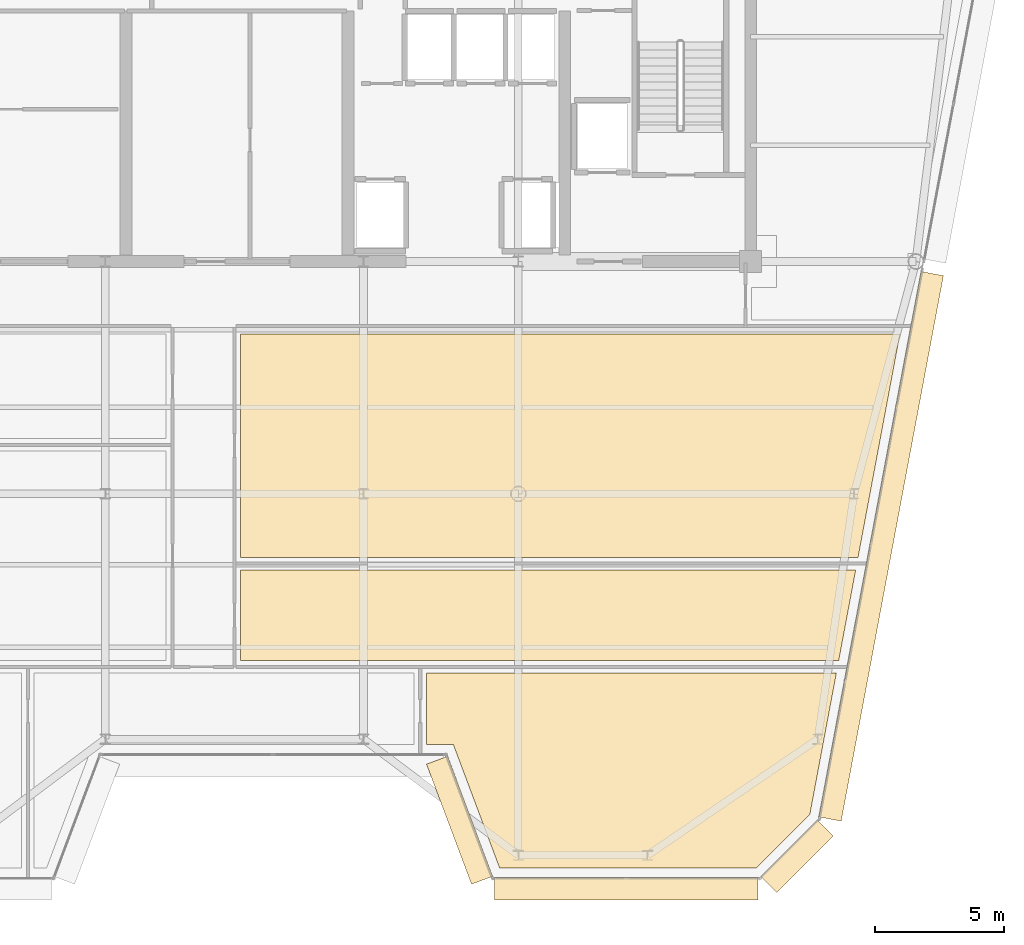
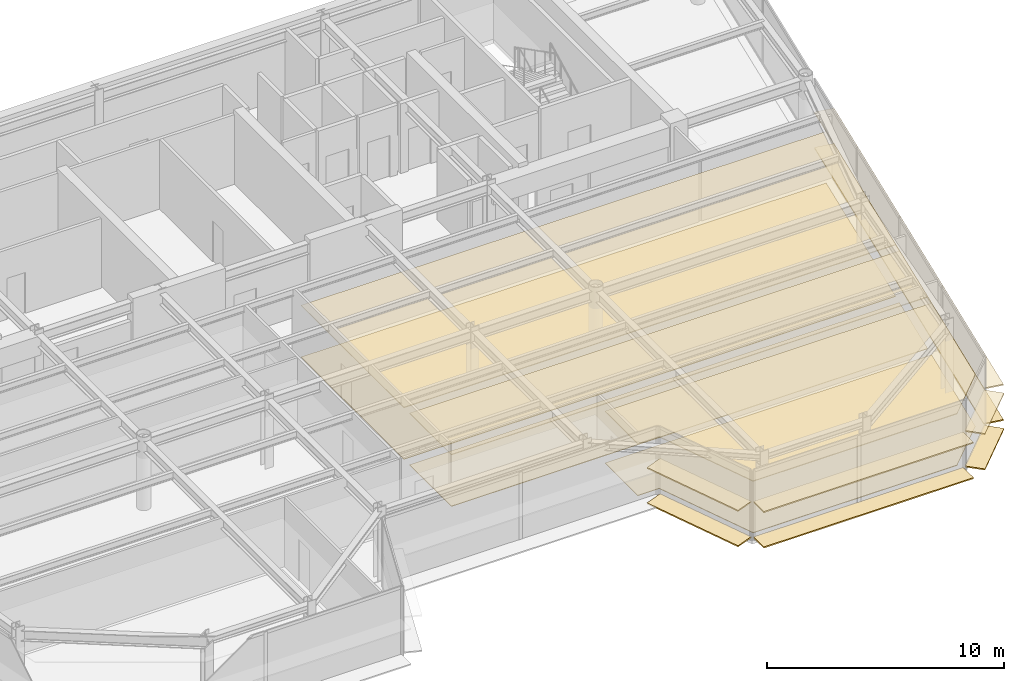
# One storey, part 15 of 19: 14 coverings.
"""IFC4 building model written with IfcOpenShell, lengths in metres."""

import ifcopenshell
import ifcopenshell.guid

model = None  # the IFC model being written
_history = None  # IfcOwnerHistory: only IFC2X3 demands one
_inside = {}  # id of a spatial element -> (the spatial element, [elements in it])
_under = {}  # id of a project, library or spatial element -> (it, [spatial elements below it])
_declared = {}  # id of a project -> (the project, [libraries it declares])
_typed = {}  # id of a type object -> (the type object, [elements of that type])
_made_of = {}  # id of a material, layer set ... -> (it, [elements and type objects made of it])


def new_model(schema):
    """Start an empty IFC model of exactly this schema.

    Asked for "IFC4X3", IfcOpenShell would pick the latest addendum, in which some entities
    have other attributes; the version numbers below select the first issue.
    IFC2X3 requires an IfcOwnerHistory on every rooted entity: one is made here for all.
    """
    global model, _history
    if schema == "IFC4X3":
        model = ifcopenshell.file(schema_version=(4, 3, 0, 0))
    else:
        model = ifcopenshell.file(schema=schema)
    _inside.clear()
    _under.clear()
    _declared.clear()
    _typed.clear()
    _made_of.clear()
    _history = None
    if model.schema == "IFC2X3":
        org = make("IfcOrganization", Name="unknown")
        user = make(
            "IfcPersonAndOrganization",
            ThePerson=make("IfcPerson", FamilyName="unknown"),
            TheOrganization=org,
        )
        app = make(
            "IfcApplication",
            ApplicationDeveloper=org,
            Version="unknown",
            ApplicationFullName="unknown",
            ApplicationIdentifier="unknown",
        )
        _history = make(
            "IfcOwnerHistory",
            OwningUser=user,
            OwningApplication=app,
            ChangeAction="ADDED",
            CreationDate=0,
        )
    return model


def make(cls, **values):
    """One entity of the class cls with the attributes given. An attribute that is None is left unset."""
    return model.create_entity(
        cls, **{name: value for name, value in values.items() if value is not None}
    )


def rooted(cls, **values):
    """An entity with a GlobalId (a new one), such as an element, a storey or a relation."""
    return make(cls, GlobalId=ifcopenshell.guid.new(), OwnerHistory=_history, **values)


def si_unit(unit_type, name, prefix=None):
    """IfcSIUnit, for example si_unit("LENGTHUNIT", "METRE", prefix="MILLI")."""
    return make("IfcSIUnit", UnitType=unit_type, Prefix=prefix, Name=name)


def assignment(units):
    """IfcUnitAssignment: the units of a project."""
    return None if units is None else make("IfcUnitAssignment", Units=units)


def point(xyz):
    """IfcCartesianPoint."""
    return None if xyz is None else make("IfcCartesianPoint", Coordinates=xyz)


def direction(xyz):
    """IfcDirection."""
    return None if xyz is None else make("IfcDirection", DirectionRatios=xyz)


def frame(location, z_axis=None, x_axis=None):
    """IfcAxis2Placement3D, a coordinate frame: its origin and axes. An axis left out is left unset."""
    return make(
        "IfcAxis2Placement3D",
        Location=point(location),
        Axis=direction(z_axis),
        RefDirection=direction(x_axis),
    )


def frame_2d(location, x_axis=None):
    """IfcAxis2Placement2D, a coordinate frame in the plane: its origin and x axis."""
    return make(
        "IfcAxis2Placement2D", Location=point(location), RefDirection=direction(x_axis)
    )


def origin():
    """The frame at (0, 0, 0) with its axes left unset."""
    return frame((0.0, 0.0, 0.0))


def origin_2d():
    """The frame at (0, 0) in the plane with its x axis left unset."""
    return frame_2d((0.0, 0.0))


def place(relative_to, where):
    """IfcLocalPlacement: puts the frame where relative to a parent placement (None: the world)."""
    return make(
        "IfcLocalPlacement", PlacementRelTo=relative_to, RelativePlacement=where
    )


def context(
    kind, dimensions, precision=None, world=None, true_north=None, identifier=None
):
    """IfcGeometricRepresentationContext, for example the 3D "Model" context."""
    return make(
        "IfcGeometricRepresentationContext",
        ContextIdentifier=identifier,
        ContextType=kind,
        CoordinateSpaceDimension=dimensions,
        Precision=precision,
        WorldCoordinateSystem=world,
        TrueNorth=true_north,
    )


def subcontext(parent, identifier, kind, view, scale=None):
    """IfcGeometricRepresentationSubContext, for example "Body" below "Model"."""
    return make(
        "IfcGeometricRepresentationSubContext",
        ContextIdentifier=identifier,
        ContextType=kind,
        ParentContext=parent,
        TargetScale=scale,
        TargetView=view,
    )


def project(units=None, contexts=None):
    """IfcProject with its units and contexts."""
    return rooted(
        "IfcProject",
        Name="project",
        RepresentationContexts=contexts,
        UnitsInContext=assignment(units),
    )


def spatial(cls, under=None, at=None, **own):
    """A site, building, storey or space (cls), placed at a placement, below another one or the project."""
    s = rooted(cls, ObjectPlacement=at, **own)
    if under is not None:
        _under.setdefault(under.id(), (under, []))[1].append(s)
    return s


def polyline(points):
    """IfcPolyline through the points."""
    return make("IfcPolyline", Points=[point(p) for p in points])


def profile(cls, at=None, kind="AREA", **sizes):
    """A parametric profile (cls). Its sizes go by their IFC names, for example OverallWidth=200.0."""
    return make(cls, ProfileType=kind, Position=at, **sizes)


def rectangle(**sizes):
    """IfcRectangleProfileDef."""
    return profile("IfcRectangleProfileDef", **sizes)


def outline(outer, holes=None, kind="AREA"):
    """IfcArbitraryClosedProfileDef: a profile drawn as a closed curve; with holes, ...WithVoids."""
    if holes is None:
        return make("IfcArbitraryClosedProfileDef", ProfileType=kind, OuterCurve=outer)
    return make(
        "IfcArbitraryProfileDefWithVoids",
        ProfileType=kind,
        OuterCurve=outer,
        InnerCurves=holes,
    )


def extrude(swept, where, along, depth):
    """IfcExtrudedAreaSolid: the profile swept, set in the frame where, extruded along a direction by depth."""
    return make(
        "IfcExtrudedAreaSolid",
        SweptArea=swept,
        Position=where,
        ExtrudedDirection=direction(along),
        Depth=depth,
    )


def shape(context_of_items, identifier, shape_type, items):
    """IfcShapeRepresentation: the items that make up one representation, for example the "Body"."""
    return make(
        "IfcShapeRepresentation",
        ContextOfItems=context_of_items,
        RepresentationIdentifier=identifier,
        RepresentationType=shape_type,
        Items=items,
    )


def source(mapping_origin, context_of_items, identifier, shape_type, items):
    """IfcRepresentationMap: a shape defined once, which mapped items show again and again."""
    return make(
        "IfcRepresentationMap",
        MappingOrigin=mapping_origin,
        MappedRepresentation=shape(context_of_items, identifier, shape_type, items),
    )


def transform(
    local_origin,
    x_axis=None,
    y_axis=None,
    z_axis=None,
    scale=None,
    scale2=None,
    scale3=None,
    uniform=True,
):
    """IfcCartesianTransformationOperator3D, or its non-uniform kind. x_axis, y_axis, z_axis: its Axis1, 2, 3."""
    if uniform:
        return make(
            "IfcCartesianTransformationOperator3D",
            Axis1=direction(x_axis),
            Axis2=direction(y_axis),
            LocalOrigin=point(local_origin),
            Scale=scale,
            Axis3=direction(z_axis),
        )
    return make(
        "IfcCartesianTransformationOperator3DnonUniform",
        Axis1=direction(x_axis),
        Axis2=direction(y_axis),
        LocalOrigin=point(local_origin),
        Scale=scale,
        Axis3=direction(z_axis),
        Scale2=scale2,
        Scale3=scale3,
    )


def mapped(mapping_source, mapping_target):
    """IfcMappedItem: shows the shape of a source again, moved by a transform."""
    return make(
        "IfcMappedItem", MappingSource=mapping_source, MappingTarget=mapping_target
    )


def material(Name=None, Category=None):
    """IfcMaterial."""
    return make("IfcMaterial", Name=Name, Category=Category)


def layer(
    of_material, thickness, ventilated=None, Name=None, Category=None, Priority=None
):
    """IfcMaterialLayer: one layer of a wall or slab, of a material (None: an air gap)."""
    return make(
        "IfcMaterialLayer",
        Material=of_material,
        LayerThickness=thickness,
        IsVentilated=ventilated,
        Name=Name,
        Category=Category,
        Priority=Priority,
    )


def layer_set(layers, Name=None):
    """IfcMaterialLayerSet."""
    return make("IfcMaterialLayerSet", MaterialLayers=layers, LayerSetName=Name)


def made_of(thing, what):
    """Note that an element or type object is made of a material, layer set ...; save() writes the relation."""
    if what is not None:
        _made_of.setdefault(what.id(), (what, []))[1].append(thing)
    return thing


def type_object(cls, material=None, **own):
    """A type object (cls), such as IfcWallType, which elements share."""
    return made_of(rooted(cls, **own), material)


def element(
    cls,
    number,
    at=None,
    inside=None,
    cuts=None,
    type_object=None,
    material=None,
    context=None,
    identifier="Body",
    shape_type=None,
    held_by="IfcProductDefinitionShape",
    body=None,
    shapes=None,
    **own,
):
    """One element of the class cls, such as IfcWall. Its Tag is "e" and its number.

    at: its placement. inside: the storey or other place that contains it. cuts: it is an
    opening in that element (IfcRelVoidsElement). A single representation is given by context,
    identifier, shape_type and body (its items); several are given by shapes. held_by: the class
    of the entity that holds the representations. save() writes the other relations.
    """
    e = rooted(cls, Tag="e%d" % number, ObjectPlacement=at, **own)
    if body is not None:
        shapes = [shape(context, identifier, shape_type, body)]
    if shapes is not None:
        e.Representation = make(held_by, Representations=shapes)
    if inside is not None:
        _inside.setdefault(inside.id(), (inside, []))[1].append(e)
    if cuts is not None:
        rooted(
            "IfcRelVoidsElement", RelatingBuildingElement=cuts, RelatedOpeningElement=e
        )
    if type_object is not None:
        _typed.setdefault(type_object.id(), (type_object, []))[1].append(e)
    return made_of(e, material)


def aggregate(whole, parts):
    """IfcRelAggregates: a whole, such as a stair, and the parts it consists of."""
    return rooted("IfcRelAggregates", RelatingObject=whole, RelatedObjects=parts)


def save(model, path):
    """Write the relations noted so far, then the file.

    IfcRelAggregates (storeys below a building ...), IfcRelContainedInSpatialStructure (elements
    in a storey), IfcRelDefinesByType, IfcRelAssociatesMaterial and IfcRelDeclares: one each for
    every whole, place, type object, material and project.
    """
    for whole, parts in _under.values():
        aggregate(whole, parts)
    for where, things in _inside.values():
        rooted(
            "IfcRelContainedInSpatialStructure",
            RelatedElements=things,
            RelatingStructure=where,
        )
    for kind, things in _typed.values():
        rooted("IfcRelDefinesByType", RelatedObjects=things, RelatingType=kind)
    for what, things in _made_of.values():
        rooted("IfcRelAssociatesMaterial", RelatedObjects=things, RelatingMaterial=what)
    for by, libraries in _declared.values():
        rooted("IfcRelDeclares", RelatingContext=by, RelatedDefinitions=libraries)
    model.write(path)


model = new_model("IFC4")

# Units and contexts
model_context = context("Model", 3, precision=1e-05, world=origin(), true_north=direction((0.0, 1.0)))
body_context = subcontext(model_context, "Body", "Model", "MODEL_VIEW")
ifc_project = project(units=[si_unit("LENGTHUNIT", "METRE"), si_unit("AREAUNIT", "SQUARE_METRE"), si_unit("VOLUMEUNIT", "CUBIC_METRE"), si_unit("PLANEANGLEUNIT", "RADIAN"), si_unit("MASSUNIT", "GRAM", prefix="KILO")], contexts=[model_context])

# Site, building, storey
site_placement = place(None, origin())
site = spatial("IfcSite", under=ifc_project, at=site_placement, CompositionType="ELEMENT")
building_placement = place(site_placement, origin())
building = spatial("IfcBuilding", under=site, at=building_placement, Name="Vaeldorn Concourse Tower", CompositionType="ELEMENT")
storey_placement = place(building_placement, frame((0.0, 0.0, 276.39990234375)))
storey = spatial("IfcBuildingStorey", under=building, at=storey_placement, Name="L71", CompositionType="ELEMENT", Elevation=276.39990234375)

# Coverings
ifc_material_1 = material(Name="Acoustic Mineral Fibre Board", Category="gypsum")
ifc_layer_1 = layer(ifc_material_1, 0.0400390625)
ifc_layer_set_1 = layer_set([ifc_layer_1], Name="Acoustic Mineral Fibre Board")
covering_type_1 = type_object("IfcCoveringType", Name="COV-CEIL-ACOUSTIC", PredefinedType="CEILING", material=ifc_layer_set_1)
covering_1_placement = place(storey_placement, frame((0.0, 0.0, 2.650146484375)))
element("IfcCovering", 1, at=covering_1_placement, inside=storey, type_object=covering_type_1, Name="Suspended Acoustic Ceiling L71-7", PredefinedType="CEILING", context=body_context, shape_type="SweptSolid", body=[
    extrude(outline(polyline([(34.239990234375, 21.0400390625), (34.239990234375, 24.56005859375), (58.06787109375, 24.56005859375), (57.407958984375, 21.0400390625), (34.239990234375, 21.0400390625)])), origin(), (0.0, 0.0, 1.0), 0.0400390625),
])
covering_2_placement = place(storey_placement, frame((0.0, 0.0, 2.650146484375)))
element("IfcCovering", 2, at=covering_2_placement, inside=storey, type_object=covering_type_1, Name="Suspended Acoustic Ceiling L71-8", PredefinedType="CEILING", context=body_context, shape_type="SweptSolid", body=[
    extrude(outline(polyline([(34.239990234375, 25.0400390625), (34.239990234375, 33.699951171875), (59.78125, 33.699951171875), (58.15771484375, 25.0400390625), (34.239990234375, 25.0400390625)])), origin(), (0.0, 0.0, 1.0), 0.0400390625),
])
covering_3_placement = place(storey_placement, frame((0.0, 0.0, 2.650146484375)))
element("IfcCovering", 3, at=covering_3_placement, inside=storey, type_object=covering_type_1, Name="Suspended Acoustic Ceiling L71-11", PredefinedType="CEILING", context=body_context, shape_type="SweptSolid", body=[
    extrude(outline(polyline([(41.43994140625, 17.800048828125), (41.43994140625, 20.56005859375), (57.318115234375, 20.56005859375), (56.4521484375, 15.941162109375), (56.4521484375, 15.941162109375), (56.293701171875, 15.09521484375), (54.1982421875, 13.0), (44.277099609375, 13.0), (42.477294921875, 17.800048828125), (41.43994140625, 17.800048828125)])), origin(), (0.0, 0.0, 1.0), 0.0400390625),
])
ifc_material_2 = material(Name="Honed Limestone Terrazzo Flooring", Category="masonry")
ifc_layer_2 = layer(ifc_material_2, 0.0400390625)
ifc_layer_set_2 = layer_set([ifc_layer_2], Name="Honed Limestone Terrazzo Flooring")
covering_type_2 = type_object("IfcCoveringType", Name="COV-FLOOR-STONE", PredefinedType="FLOORING", material=ifc_layer_set_2)
covering_4_placement = place(storey_placement, origin())
element("IfcCovering", 4, at=covering_4_placement, inside=storey, type_object=covering_type_2, Name="Floor Finish Covering L71-7", PredefinedType="FLOORING", context=body_context, shape_type="SweptSolid", body=[
    extrude(outline(polyline([(34.239990234375, 21.0400390625), (34.239990234375, 24.56005859375), (58.06787109375, 24.56005859375), (57.407958984375, 21.0400390625), (34.239990234375, 21.0400390625)])), origin(), (0.0, 0.0, 1.0), 0.030029296875),
])
covering_5_placement = place(storey_placement, origin())
element("IfcCovering", 5, at=covering_5_placement, inside=storey, type_object=covering_type_2, Name="Floor Finish Covering L71-8", PredefinedType="FLOORING", context=body_context, shape_type="SweptSolid", body=[
    extrude(outline(polyline([(34.239990234375, 25.0400390625), (34.239990234375, 33.699951171875), (59.78125, 33.699951171875), (58.15771484375, 25.0400390625), (34.239990234375, 25.0400390625)])), origin(), (0.0, 0.0, 1.0), 0.030029296875),
])
covering_6_placement = place(storey_placement, origin())
element("IfcCovering", 6, at=covering_6_placement, inside=storey, type_object=covering_type_2, Name="Floor Finish Covering L71-11", PredefinedType="FLOORING", context=body_context, shape_type="SweptSolid", body=[
    extrude(outline(polyline([(41.43994140625, 17.800048828125), (41.43994140625, 20.56005859375), (57.318115234375, 20.56005859375), (56.4521484375, 15.941162109375), (56.4521484375, 15.941162109375), (56.293701171875, 15.09521484375), (54.1982421875, 13.0), (44.277099609375, 13.0), (42.477294921875, 17.800048828125), (41.43994140625, 17.800048828125)])), origin(), (0.0, 0.0, 1.0), 0.030029296875),
])
ifc_material_3 = material(Name="Anodised Bronze Aluminium", Category="aluminium")
ifc_layer_3 = layer(ifc_material_3, 0.06494140625)
ifc_layer_set_3 = layer_set([ifc_layer_3], Name="Anodised Bronze Aluminium")
covering_type_3 = type_object("IfcCoveringType", Name="SD-BRONZE-SUNSHADE", PredefinedType="USERDEFINED", material=ifc_layer_set_3)
shared_shape_1 = source(origin(), body_context, "Body", "SweptSolid", [
    extrude(rectangle(XDim=4.96630859375, YDim=0.8798828125, at=origin_2d()), origin(), (0.0, 0.0, 1.0), 0.06494140625),
])
for number, where, z_axis, x_axis, name in (
    (7, (42.7255859375, 14.859619140625, 0.047607421875), (0.0, 0.0, 1.0), (0.351122702609, -0.936329454686, 0.0), "Horizontal Bronze Sunshade L71-E04.1.1"),
    (8, (42.7255859375, 14.859619140625, 1.86767578125), (0.0, 0.0, 1.0), (0.351122702609, -0.936329454686, 0.0), "Horizontal Bronze Sunshade L71-E04.1.2"),
):
    element("IfcCovering", number, at=place(storey_placement, frame(where, z_axis=z_axis, x_axis=x_axis)), inside=storey, type_object=covering_type_3, Name=name, ObjectType="SUNSHADE", PredefinedType="USERDEFINED", context=body_context, shape_type="MappedRepresentation", body=[
        mapped(shared_shape_1, transform((0.0, 0.0, 0.0), scale=1.0)),
    ])
shared_shape_2 = source(origin(), body_context, "Body", "SweptSolid", [
    extrude(rectangle(XDim=3.0927734375, YDim=0.8798828125, at=origin_2d()), origin(), (0.0, 0.0, 1.0), 0.06494140625),
])
for number, where, z_axis, x_axis, name in (
    (9, (55.796875, 13.46728515625, 0.047607421875), (0.0, 0.0, 1.0), (0.707106781187, 0.707106781187, 0.0), "Horizontal Bronze Sunshade L71-E06.1.1"),
    (10, (55.796875, 13.46728515625, 1.86767578125), (0.0, 0.0, 1.0), (0.707106781187, 0.707106781187, 0.0), "Horizontal Bronze Sunshade L71-E06.1.2"),
):
    element("IfcCovering", number, at=place(storey_placement, frame(where, z_axis=z_axis, x_axis=x_axis)), inside=storey, type_object=covering_type_3, Name=name, ObjectType="SUNSHADE", PredefinedType="USERDEFINED", context=body_context, shape_type="MappedRepresentation", body=[
        mapped(shared_shape_2, transform((0.0, 0.0, 0.0), scale=1.0)),
    ])
shared_shape_3 = source(origin(), body_context, "Body", "SweptSolid", [
    extrude(rectangle(XDim=21.49560546875, YDim=0.8798828125, at=origin_2d()), origin(), (0.0, 0.0, 1.0), 0.06494140625),
])
for number, where, z_axis, x_axis, name in (
    (11, (59.05224609375, 25.46875, 0.047607421875), (0.0, 0.0, 1.0), (0.1842429853, 0.98288072642, 0.0), "Horizontal Bronze Sunshade L71-E07.1.1"),
    (12, (59.05224609375, 25.46875, 1.86767578125), (0.0, 0.0, 1.0), (0.1842429853, 0.98288072642, 0.0), "Horizontal Bronze Sunshade L71-E07.1.2"),
):
    element("IfcCovering", number, at=place(storey_placement, frame(where, z_axis=z_axis, x_axis=x_axis)), inside=storey, type_object=covering_type_3, Name=name, ObjectType="SUNSHADE", PredefinedType="USERDEFINED", context=body_context, shape_type="MappedRepresentation", body=[
        mapped(shared_shape_3, transform((0.0, 0.0, 0.0), scale=1.0)),
    ])
shared_shape_4 = source(origin(), body_context, "Body", "SweptSolid", [
    extrude(rectangle(XDim=10.2041015625, YDim=0.8798828125, at=origin_2d()), origin(), (0.0, 0.0, 1.0), 0.06494140625),
])
for number, where, z_axis, x_axis, name in (
    (13, (49.181884765625, 12.199951171875, 0.047607421875), (0.0, 0.0, 1.0), (1.0, 0.0, 0.0), "Horizontal Bronze Sunshade L71-E05.1.1"),
    (14, (49.181884765625, 12.199951171875, 1.86767578125), (0.0, 0.0, 1.0), (1.0, 0.0, 0.0), "Horizontal Bronze Sunshade L71-E05.1.2"),
):
    element("IfcCovering", number, at=place(storey_placement, frame(where, z_axis=z_axis, x_axis=x_axis)), inside=storey, type_object=covering_type_3, Name=name, ObjectType="SUNSHADE", PredefinedType="USERDEFINED", context=body_context, shape_type="MappedRepresentation", body=[
        mapped(shared_shape_4, transform((0.0, 0.0, 0.0), scale=1.0)),
    ])

save(model, "model.ifc")
